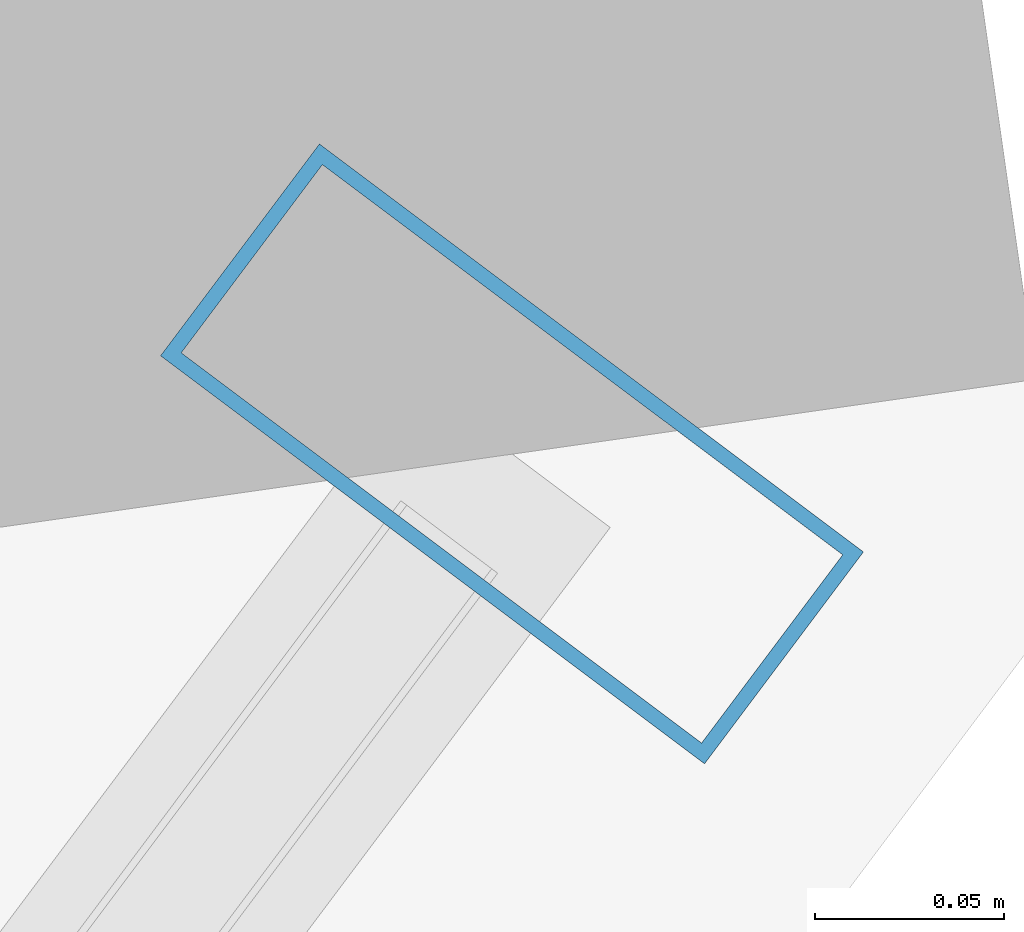
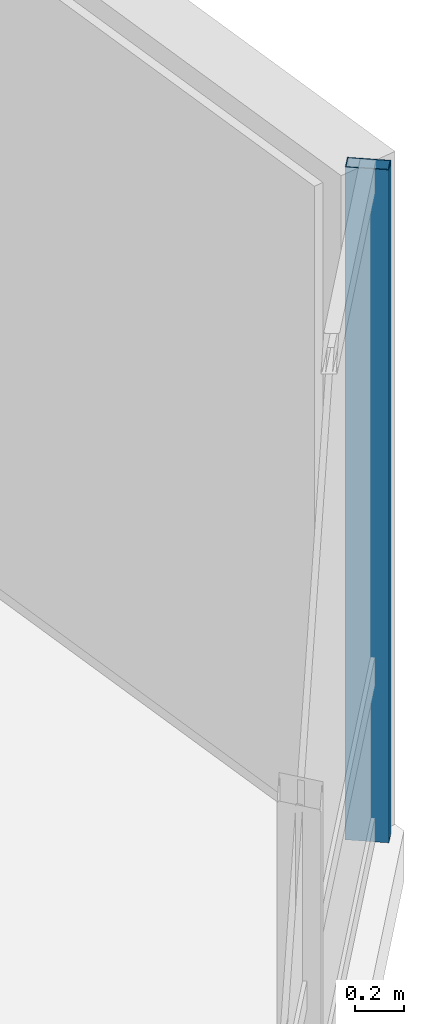
# One storey, part 16 of 27: 1 member, 1 element without a shape of its own.
"""IFC4 building model written with IfcOpenShell, lengths in metres."""

from ifc_helpers import new_model, si_unit, direction, frame, origin, origin_2d, place, context, subcontext, project, spatial, hollow_rectangle, extrude, material, layer, layer_set, material_profile, profile_set, type_object, element, aggregate, save


model = new_model("IFC4")

# Units and contexts
model_context = context("Model", 3, precision=1e-05, world=origin(), true_north=direction((0.0, 1.0)))
body_context = subcontext(model_context, "Body", "Model", "MODEL_VIEW")
ifc_project = project(units=[si_unit("LENGTHUNIT", "METRE"), si_unit("AREAUNIT", "SQUARE_METRE"), si_unit("VOLUMEUNIT", "CUBIC_METRE"), si_unit("PLANEANGLEUNIT", "RADIAN"), si_unit("MASSUNIT", "GRAM", prefix="KILO")], contexts=[model_context])

# Site, building, storey
site_placement = place(None, origin())
site = spatial("IfcSite", under=ifc_project, at=site_placement, CompositionType="ELEMENT")
building_placement = place(site_placement, origin())
building = spatial("IfcBuilding", under=site, at=building_placement, Name="Hatsunagi Terrace Concourse", CompositionType="ELEMENT")
storey_placement = place(building_placement, frame((0.0, 0.0, 142.050048828125)))
storey = spatial("IfcBuildingStorey", under=building, at=storey_placement, Name="L37", CompositionType="ELEMENT", Elevation=142.050048828125)

# Curtain wall, member
ifc_material_1 = material(Name="Anodised Aluminium Alloy 6063-T5", Category="aluminium")
ifc_layer = layer(ifc_material_1, 0.199951171875)
ifc_layer_set = layer_set([ifc_layer], Name="OfficeZone1_CW03")
curtain_wall_type = type_object("IfcCurtainWallType", Name="OfficeZone1_CW03", PredefinedType="NOTDEFINED", material=ifc_layer_set)
curtain_wall_placement = place(storey_placement, origin())
curtain_wall = element("IfcCurtainWall", 1, at=curtain_wall_placement, inside=storey, type_object=curtain_wall_type, Name="Unitised Curtain Wall CW-03 CW-L37-03", PredefinedType="NOTDEFINED")
ifc_material_2 = material(Name="Anodised Aluminium Alloy 6063-T5", Category="aluminium")
ifc_material_profile = material_profile(ifc_material_2, hollow_rectangle(XDim=0.070068359375, YDim=0.179931640625, WallThickness=0.00390625, at=origin_2d()), Name="ALU-MUL-180x70x4")
ifc_profile_set = profile_set([ifc_material_profile], Name="Anodised Aluminium Alloy 6063-T5")
member_type = type_object("IfcMemberType", Name="CurtainWallMullion_180x70", PredefinedType="MULLION", material=ifc_profile_set)
member_placement = place(storey_placement, frame((60.693115234375, 25.9580078125, 0.0), z_axis=(0.0, 0.0, 1.0), x_axis=(-0.599969314634, -0.800023013105, 0.0)))
member = element("IfcMember", 2, at=member_placement, type_object=member_type, Name="Curtain Wall Mullion MUL-02", PredefinedType="MULLION", context=body_context, shape_type="SweptSolid", body=[
    extrude(hollow_rectangle(XDim=0.070068359375, YDim=0.179931640625, WallThickness=0.00390625, at=origin_2d()), origin(), (0.0, 0.0, 1.0), 3.349853515625),
])
aggregate(curtain_wall, [member])

save(model, "model.ifc")
